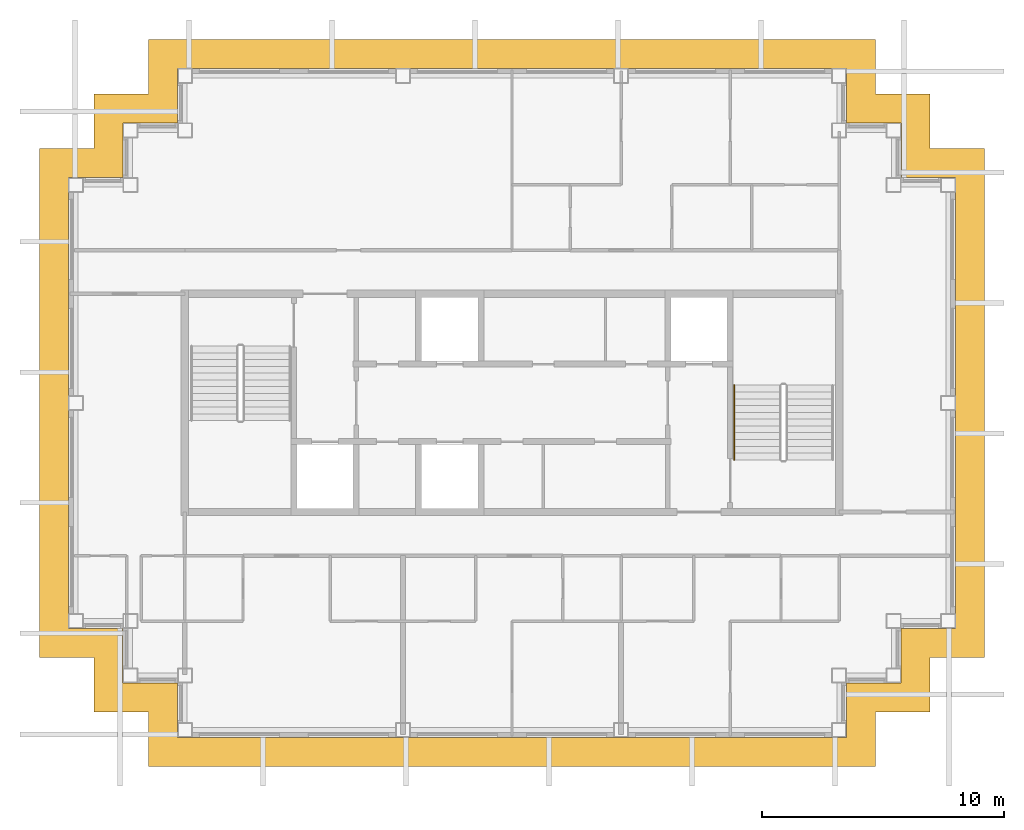
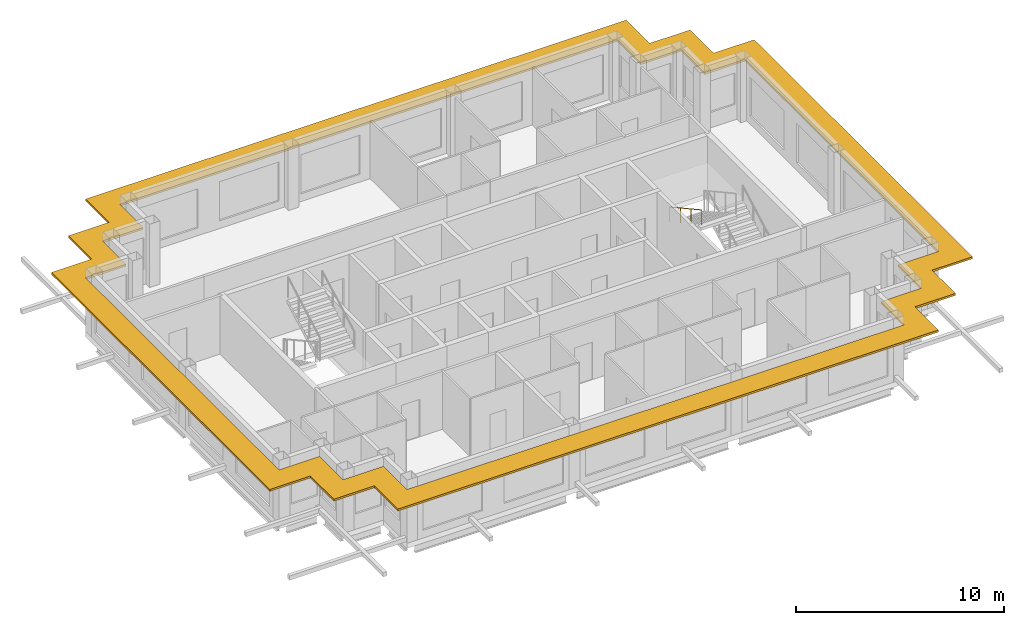
# One storey, part 9 of 10: 1 railing, 1 shading device.
"""IFC4 building model written with IfcOpenShell, lengths in metres."""

from ifc_helpers import new_model, si_unit, direction, frame, origin, origin_2d, place, context, subcontext, project, spatial, polyline, circle, outline, extrude, material, layer, layer_set, type_object, element, save


model = new_model("IFC4")

# Units and contexts
model_context = context("Model", 3, precision=1e-05, world=origin(), true_north=direction((0.0, 1.0)))
body_context = subcontext(model_context, "Body", "Model", "MODEL_VIEW")
ifc_project = project(units=[si_unit("LENGTHUNIT", "METRE"), si_unit("AREAUNIT", "SQUARE_METRE"), si_unit("VOLUMEUNIT", "CUBIC_METRE"), si_unit("PLANEANGLEUNIT", "RADIAN"), si_unit("MASSUNIT", "GRAM", prefix="KILO")], contexts=[model_context])

# Site, building, storey
site_placement = place(None, origin())
site = spatial("IfcSite", under=ifc_project, at=site_placement, CompositionType="ELEMENT")
building_placement = place(site_placement, origin())
building = spatial("IfcBuilding", under=site, at=building_placement, Name="Caravel Reach Hotel and Residences", CompositionType="ELEMENT")
storey_placement = place(building_placement, frame((0.0, 0.0, 290.800048828125)))
storey = spatial("IfcBuildingStorey", under=building, at=storey_placement, Name="L74", CompositionType="ELEMENT", Elevation=290.800048828125)

# Railing
ifc_material_1 = material(Name="Stainless steel handrail", Category="steel")
railing_type = type_object("IfcRailingType", Name="Handrail 900", PredefinedType="HANDRAIL", material=ifc_material_1)
railing_placement = place(storey_placement, frame((40.675048828125, 27.72998046875, 2.004150390625)))
element("IfcRailing", 1, at=railing_placement, inside=storey, type_object=railing_type, Name="L74 ST-B stair handrail 2", PredefinedType="HANDRAIL", context=body_context, shape_type="SweptSolid", body=[
    extrude(circle(Radius=0.02392578125, at=origin_2d()), frame((0.0, 0.0, 0.8759765625), z_axis=(0.0, -0.876004717809, 0.482302534076), x_axis=(1.0, 0.0, 0.0)), (0.0, 0.0, 1.0), 3.51611328125),
    extrude(circle(Radius=0.02099609375, at=origin_2d()), origin(), (0.0, 0.0, 1.0), 0.851806640625),
    extrude(circle(Radius=0.02099609375, at=origin_2d()), frame((0.0, -1.026611328125, 0.565185546875)), (0.0, 0.0, 1.0), 0.851806640625),
    extrude(circle(Radius=0.02099609375, at=origin_2d()), frame((0.0, -2.053466796875, 1.130615234375)), (0.0, 0.0, 1.0), 0.851806640625),
    extrude(circle(Radius=0.02099609375, at=origin_2d()), frame((0.0, -3.080078125, 1.69580078125)), (0.0, 0.0, 1.0), 0.851806640625),
])

# Shading device
ifc_material_2 = material(Name="Black powder-coated aluminium", Category="aluminium")
ifc_layer = layer(ifc_material_2, 0.1201171875)
ifc_layer_set = layer_set([ifc_layer], Name="SS1 Sunshade band 1200")
shading_device_type = type_object("IfcShadingDeviceType", Name="SS1 Sunshade band 1200", PredefinedType="USERDEFINED", material=ifc_layer_set)
shading_device_placement = place(storey_placement, frame((0.0, 0.0, 3.0400390625)))
element("IfcShadingDevice", 2, at=shading_device_placement, inside=storey, type_object=shading_device_type, Name="Sunshade L74 1", ObjectType="SUNSHADE", PredefinedType="USERDEFINED", context=body_context, shape_type="SweptSolid", body=[
    extrude(outline(polyline([(16.5, 12.0), (46.5, 12.0), (46.5, 14.25), (48.75, 14.25), (48.75, 16.5), (51.0, 16.5), (51.0, 37.5), (48.75, 37.5), (48.75, 39.75), (46.5, 39.75), (46.5, 42.0), (16.5, 42.0), (16.5, 39.75), (14.25, 39.75), (14.25, 37.5), (12.0, 37.5), (12.0, 16.5), (14.25, 16.5), (14.25, 14.25), (16.5, 14.25), (16.5, 12.0)]), holes=[polyline([(45.300048828125, 15.449951171875), (45.300048828125, 13.199951171875), (17.699951171875, 13.199951171875), (17.699951171875, 15.449951171875), (15.449951171875, 15.449951171875), (15.449951171875, 17.699951171875), (13.199951171875, 17.699951171875), (13.199951171875, 36.300048828125), (15.449951171875, 36.300048828125), (15.449951171875, 38.550048828125), (17.699951171875, 38.550048828125), (17.699951171875, 40.800048828125), (45.300048828125, 40.800048828125), (45.300048828125, 38.550048828125), (47.550048828125, 38.550048828125), (47.550048828125, 36.300048828125), (49.800048828125, 36.300048828125), (49.800048828125, 17.699951171875), (47.550048828125, 17.699951171875), (47.550048828125, 15.449951171875), (45.300048828125, 15.449951171875)])]), origin(), (0.0, 0.0, 1.0), 0.119873046875),
])

save(model, "model.ifc")
